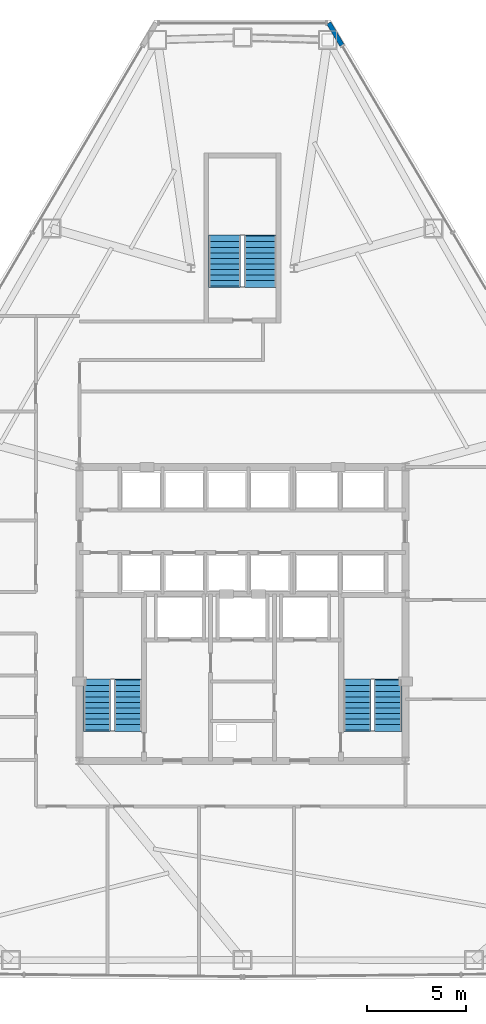
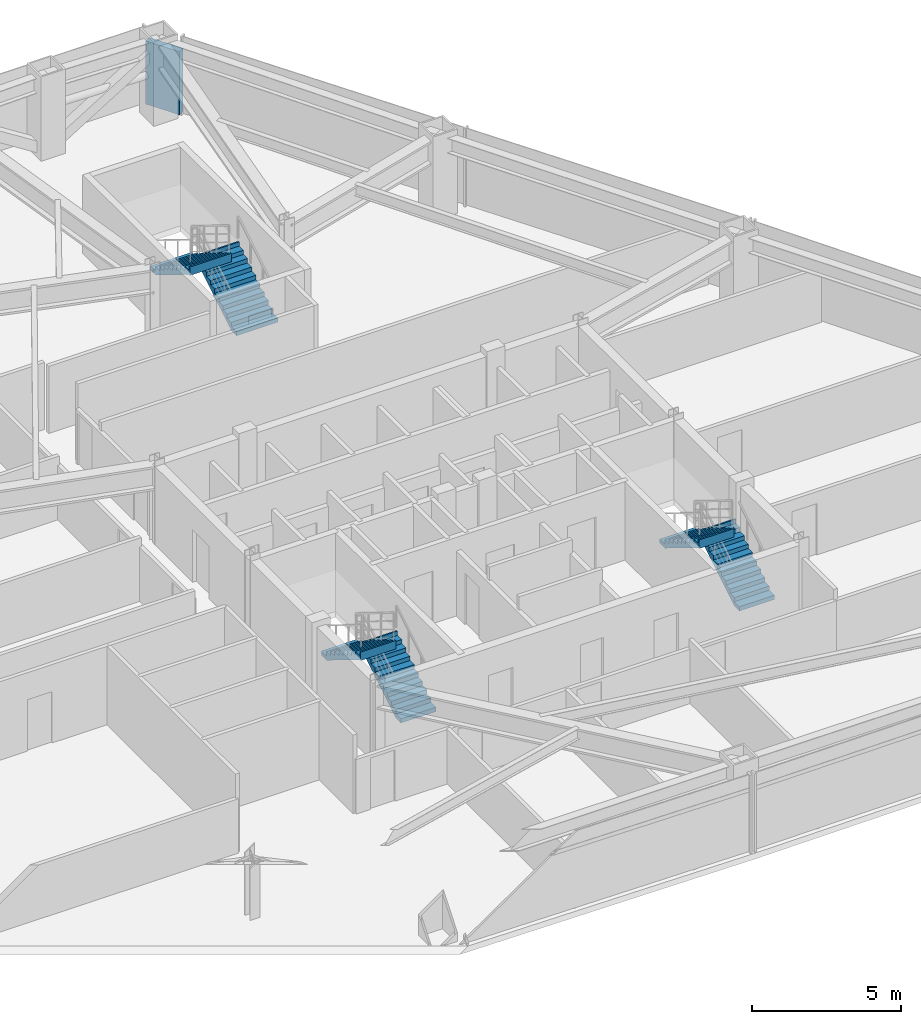
# One storey, part 12 of 13: 6 stair flights, 1 wall, 3 elements without a shape of their own.
"""IFC4 building model written with IfcOpenShell, lengths in metres."""

from ifc_helpers import new_model, si_unit, direction, frame, frame_2d, origin, place, context, subcontext, project, spatial, polyline, rectangle, outline, extrude, material, layer, layer_set, type_object, element, aggregate, save


model = new_model("IFC4")

# Units and contexts
model_context = context("Model", 3, precision=1e-05, world=origin(), true_north=direction((0.0, 1.0)))
body_context = subcontext(model_context, "Body", "Model", "MODEL_VIEW")
ifc_project = project(units=[si_unit("LENGTHUNIT", "METRE"), si_unit("AREAUNIT", "SQUARE_METRE"), si_unit("VOLUMEUNIT", "CUBIC_METRE"), si_unit("PLANEANGLEUNIT", "RADIAN"), si_unit("MASSUNIT", "GRAM", prefix="KILO")], contexts=[model_context])

# Site, building, storey
site_placement = place(None, origin())
site = spatial("IfcSite", under=ifc_project, at=site_placement, CompositionType="ELEMENT")
building_placement = place(site_placement, origin())
building = spatial("IfcBuilding", under=site, at=building_placement, Name="Varakhsha Concourse Tower", CompositionType="ELEMENT")
storey_placement = place(building_placement, frame((0.0, 0.0, 116.0)))
storey = spatial("IfcBuildingStorey", under=building, at=storey_placement, Name="L33", CompositionType="ELEMENT", Elevation=116.0)

# Wall
ifc_material = material(Name="Concrete fc 45 MPa", Category="concrete")
ifc_layer = layer(ifc_material, 0.239990234375, Name="WL-EXT-CRN-240")
ifc_layer_set = layer_set([ifc_layer], Name="Concrete fc 45 MPa")
wall_type = type_object("IfcWallType", Name="WL-EXT-CRN-240", PredefinedType="SHEAR", material=ifc_layer_set)
wall_placement = place(storey_placement, frame((45.008544921875, 52.43310546875, 0.0), z_axis=(0.0, 0.0, 1.0), x_axis=(-0.508842797401, 0.860859458642, 0.0)))
element("IfcWall", 1, at=wall_placement, inside=storey, type_object=wall_type, Name="L33 Wind-Corner Shoulder Wall F9", PredefinedType="SHEAR", context=body_context, shape_type="SweptSolid", body=[
    extrude(rectangle(XDim=1.304443359375, YDim=0.239990234375, at=frame_2d((0.65234375, 0.0))), origin(), (0.0, 0.0, 1.0), 2.5830078125),
])

# Stair, stair flights
stair_type_1 = type_object("IfcStairType", Name="ST-DOGLEG-1360", PredefinedType="HALF_TURN_STAIR", material=ifc_material)
stair_1_placement = place(storey_placement, origin())
stair_1 = element("IfcStair", 2, at=stair_1_placement, inside=storey, type_object=stair_type_1, Name="L33 Protected Exit Stair ST1", PredefinedType="HALF_TURN_STAIR")
stair_flight_type_1 = type_object("IfcStairFlightType", Name="STF-1360-R1725", PredefinedType="STRAIGHT", material=ifc_material)
stair_flight_1_placement = place(storey_placement, frame((34.239990234375, 17.93994140625, 0.0), z_axis=(0.0, 0.0, 1.0), x_axis=(0.0, 1.0, 0.0)))
stair_flight_1 = element("IfcStairFlight", 3, at=stair_flight_1_placement, type_object=stair_flight_type_1, Name="ST1 flight 1", NumberOfRisers=10, NumberOfTreads=9, PredefinedType="STRAIGHT", RiserHeight=0.1725, TreadLength=0.28, context=body_context, shape_type="SweptSolid", body=[
    extrude(outline(polyline([(-0.06005859375, 0.0), (-0.06005859375, 0.172607421875), (0.0, 0.172607421875), (0.280029296875, 0.172607421875), (0.280029296875, 0.344970703125), (0.56005859375, 0.344970703125), (0.56005859375, 0.517578125), (0.840087890625, 0.517578125), (0.840087890625, 0.68994140625), (1.1201171875, 0.68994140625), (1.1201171875, 0.862548828125), (1.39990234375, 0.862548828125), (1.39990234375, 1.034912109375), (1.679931640625, 1.034912109375), (1.679931640625, 1.20751953125), (1.9599609375, 1.20751953125), (1.9599609375, 1.3798828125), (2.239990234375, 1.3798828125), (2.239990234375, 1.552490234375), (2.52001953125, 1.552490234375), (2.52001953125, 1.72509765625), (2.580078125, 1.72509765625), (2.580078125, 1.37646484375), (2.52001953125, 1.37646484375), (0.285888671875, 0.0), (-0.06005859375, 0.0)])), frame((0.0, 0.68017578125, 0.0), z_axis=(0.0, -1.0, 0.0), x_axis=(1.0, 0.0, 0.0)), (0.0, 0.0, 1.0), 1.360107421875),
])
stair_flight_2_placement = place(storey_placement, frame((32.679931640625, 20.4599609375, 1.72509765625), z_axis=(0.0, 0.0, 1.0), x_axis=(0.0, -1.0, 0.0)))
stair_flight_2 = element("IfcStairFlight", 4, at=stair_flight_2_placement, type_object=stair_flight_type_1, Name="ST1 flight 2", NumberOfRisers=10, NumberOfTreads=9, PredefinedType="STRAIGHT", RiserHeight=0.1725, TreadLength=0.28, context=body_context, shape_type="SweptSolid", body=[
    extrude(outline(polyline([(-0.06005859375, 0.0), (-0.06005859375, 0.172607421875), (0.0, 0.172607421875), (0.280029296875, 0.172607421875), (0.280029296875, 0.344970703125), (0.56005859375, 0.344970703125), (0.56005859375, 0.517578125), (0.840087890625, 0.517578125), (0.840087890625, 0.68994140625), (1.1201171875, 0.68994140625), (1.1201171875, 0.862548828125), (1.39990234375, 0.862548828125), (1.39990234375, 1.034912109375), (1.679931640625, 1.034912109375), (1.679931640625, 1.20751953125), (1.9599609375, 1.20751953125), (1.9599609375, 1.3798828125), (2.239990234375, 1.3798828125), (2.239990234375, 1.552490234375), (2.52001953125, 1.552490234375), (2.52001953125, 1.72509765625), (2.580078125, 1.72509765625), (2.580078125, 1.37646484375), (2.52001953125, 1.37646484375), (0.285888671875, 0.0), (-0.06005859375, 0.0)])), frame((0.0, 0.68017578125, 0.0), z_axis=(0.0, -1.0, 0.0), x_axis=(1.0, 0.0, 0.0)), (0.0, 0.0, 1.0), 1.360107421875),
])
aggregate(stair_1, [stair_flight_1, stair_flight_2])

stair_2_placement = place(storey_placement, origin())
stair_2 = element("IfcStair", 5, at=stair_2_placement, inside=storey, type_object=stair_type_1, Name="L33 Protected Exit Stair ST2", PredefinedType="HALF_TURN_STAIR")
stair_flight_3_placement = place(storey_placement, frame((47.340087890625, 17.93994140625, 0.0), z_axis=(0.0, 0.0, 1.0), x_axis=(0.0, 1.0, 0.0)))
stair_flight_3 = element("IfcStairFlight", 6, at=stair_flight_3_placement, type_object=stair_flight_type_1, Name="ST2 flight 1", NumberOfRisers=10, NumberOfTreads=9, PredefinedType="STRAIGHT", RiserHeight=0.1725, TreadLength=0.28, context=body_context, shape_type="SweptSolid", body=[
    extrude(outline(polyline([(-0.06005859375, 0.0), (-0.06005859375, 0.172607421875), (0.0, 0.172607421875), (0.280029296875, 0.172607421875), (0.280029296875, 0.344970703125), (0.56005859375, 0.344970703125), (0.56005859375, 0.517578125), (0.840087890625, 0.517578125), (0.840087890625, 0.68994140625), (1.1201171875, 0.68994140625), (1.1201171875, 0.862548828125), (1.39990234375, 0.862548828125), (1.39990234375, 1.034912109375), (1.679931640625, 1.034912109375), (1.679931640625, 1.20751953125), (1.9599609375, 1.20751953125), (1.9599609375, 1.3798828125), (2.239990234375, 1.3798828125), (2.239990234375, 1.552490234375), (2.52001953125, 1.552490234375), (2.52001953125, 1.72509765625), (2.580078125, 1.72509765625), (2.580078125, 1.37646484375), (2.52001953125, 1.37646484375), (0.285888671875, 0.0), (-0.06005859375, 0.0)])), frame((0.0, 0.68017578125, 0.0), z_axis=(0.0, -1.0, 0.0), x_axis=(1.0, 0.0, 0.0)), (0.0, 0.0, 1.0), 1.360107421875),
])
stair_flight_4_placement = place(storey_placement, frame((45.780029296875, 20.4599609375, 1.72509765625), z_axis=(0.0, 0.0, 1.0), x_axis=(0.0, -1.0, 0.0)))
stair_flight_4 = element("IfcStairFlight", 7, at=stair_flight_4_placement, type_object=stair_flight_type_1, Name="ST2 flight 2", NumberOfRisers=10, NumberOfTreads=9, PredefinedType="STRAIGHT", RiserHeight=0.1725, TreadLength=0.28, context=body_context, shape_type="SweptSolid", body=[
    extrude(outline(polyline([(-0.06005859375, 0.0), (-0.06005859375, 0.172607421875), (0.0, 0.172607421875), (0.280029296875, 0.172607421875), (0.280029296875, 0.344970703125), (0.56005859375, 0.344970703125), (0.56005859375, 0.517578125), (0.840087890625, 0.517578125), (0.840087890625, 0.68994140625), (1.1201171875, 0.68994140625), (1.1201171875, 0.862548828125), (1.39990234375, 0.862548828125), (1.39990234375, 1.034912109375), (1.679931640625, 1.034912109375), (1.679931640625, 1.20751953125), (1.9599609375, 1.20751953125), (1.9599609375, 1.3798828125), (2.239990234375, 1.3798828125), (2.239990234375, 1.552490234375), (2.52001953125, 1.552490234375), (2.52001953125, 1.72509765625), (2.580078125, 1.72509765625), (2.580078125, 1.37646484375), (2.52001953125, 1.37646484375), (0.285888671875, 0.0), (-0.06005859375, 0.0)])), frame((0.0, 0.68017578125, 0.0), z_axis=(0.0, -1.0, 0.0), x_axis=(1.0, 0.0, 0.0)), (0.0, 0.0, 1.0), 1.360107421875),
])
aggregate(stair_2, [stair_flight_3, stair_flight_4])

stair_type_2 = type_object("IfcStairType", Name="ST-DOGLEG-1600", PredefinedType="HALF_TURN_STAIR", material=ifc_material)
stair_3_placement = place(storey_placement, origin())
stair_3 = element("IfcStair", 8, at=stair_3_placement, inside=storey, type_object=stair_type_2, Name="L33 Protected Exit Stair ST5", PredefinedType="HALF_TURN_STAIR")
stair_flight_type_2 = type_object("IfcStairFlightType", Name="STF-1600-R1725", PredefinedType="STRAIGHT", material=ifc_material)
stair_flight_5_placement = place(storey_placement, frame((40.89990234375, 40.300048828125, 0.0), z_axis=(0.0, 0.0, 1.0), x_axis=(0.0, 1.0, 0.0)))
stair_flight_5 = element("IfcStairFlight", 9, at=stair_flight_5_placement, type_object=stair_flight_type_2, Name="ST5 flight 1", NumberOfRisers=10, NumberOfTreads=9, PredefinedType="STRAIGHT", RiserHeight=0.1725, TreadLength=0.28, context=body_context, shape_type="SweptSolid", body=[
    extrude(outline(polyline([(-0.06005859375, 0.0), (-0.06005859375, 0.172607421875), (0.0, 0.172607421875), (0.280029296875, 0.172607421875), (0.280029296875, 0.344970703125), (0.56005859375, 0.344970703125), (0.56005859375, 0.517578125), (0.840087890625, 0.517578125), (0.840087890625, 0.68994140625), (1.1201171875, 0.68994140625), (1.1201171875, 0.862548828125), (1.39990234375, 0.862548828125), (1.39990234375, 1.034912109375), (1.679931640625, 1.034912109375), (1.679931640625, 1.20751953125), (1.9599609375, 1.20751953125), (1.9599609375, 1.3798828125), (2.239990234375, 1.3798828125), (2.239990234375, 1.552490234375), (2.52001953125, 1.552490234375), (2.52001953125, 1.72509765625), (2.580078125, 1.72509765625), (2.580078125, 1.37646484375), (2.52001953125, 1.37646484375), (0.285888671875, 0.0), (-0.06005859375, 0.0)])), frame((0.0, 0.800048828125, 0.0), z_axis=(0.0, -1.0, 0.0), x_axis=(1.0, 0.0, 0.0)), (0.0, 0.0, 1.0), 1.60009765625),
])
stair_flight_6_placement = place(storey_placement, frame((39.10009765625, 42.820068359375, 1.72509765625), z_axis=(0.0, 0.0, 1.0), x_axis=(0.0, -1.0, 0.0)))
stair_flight_6 = element("IfcStairFlight", 10, at=stair_flight_6_placement, type_object=stair_flight_type_2, Name="ST5 flight 2", NumberOfRisers=10, NumberOfTreads=9, PredefinedType="STRAIGHT", RiserHeight=0.1725, TreadLength=0.28, context=body_context, shape_type="SweptSolid", body=[
    extrude(outline(polyline([(-0.06005859375, 0.0), (-0.06005859375, 0.172607421875), (0.0, 0.172607421875), (0.280029296875, 0.172607421875), (0.280029296875, 0.344970703125), (0.56005859375, 0.344970703125), (0.56005859375, 0.517578125), (0.840087890625, 0.517578125), (0.840087890625, 0.68994140625), (1.1201171875, 0.68994140625), (1.1201171875, 0.862548828125), (1.39990234375, 0.862548828125), (1.39990234375, 1.034912109375), (1.679931640625, 1.034912109375), (1.679931640625, 1.20751953125), (1.9599609375, 1.20751953125), (1.9599609375, 1.3798828125), (2.239990234375, 1.3798828125), (2.239990234375, 1.552490234375), (2.52001953125, 1.552490234375), (2.52001953125, 1.72509765625), (2.580078125, 1.72509765625), (2.580078125, 1.37646484375), (2.52001953125, 1.37646484375), (0.285888671875, 0.0), (-0.06005859375, 0.0)])), frame((0.0, 0.800048828125, 0.0), z_axis=(0.0, -1.0, 0.0), x_axis=(1.0, 0.0, 0.0)), (0.0, 0.0, 1.0), 1.60009765625),
])
aggregate(stair_3, [stair_flight_5, stair_flight_6])

save(model, "model.ifc")
